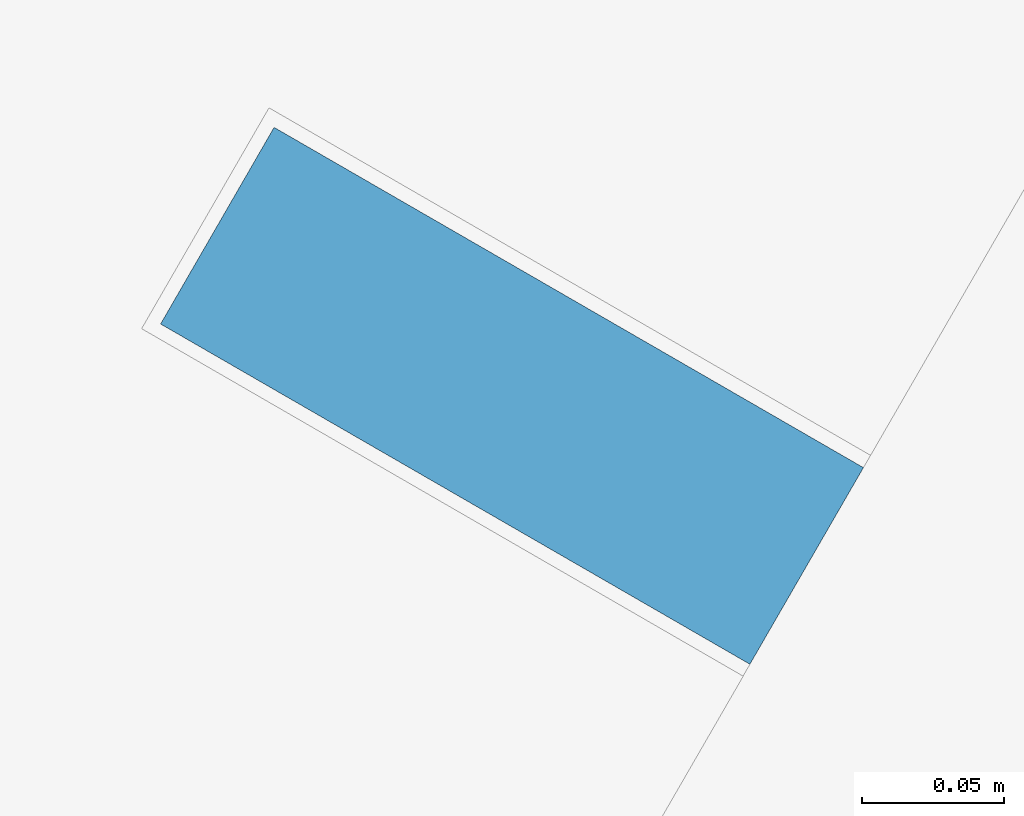
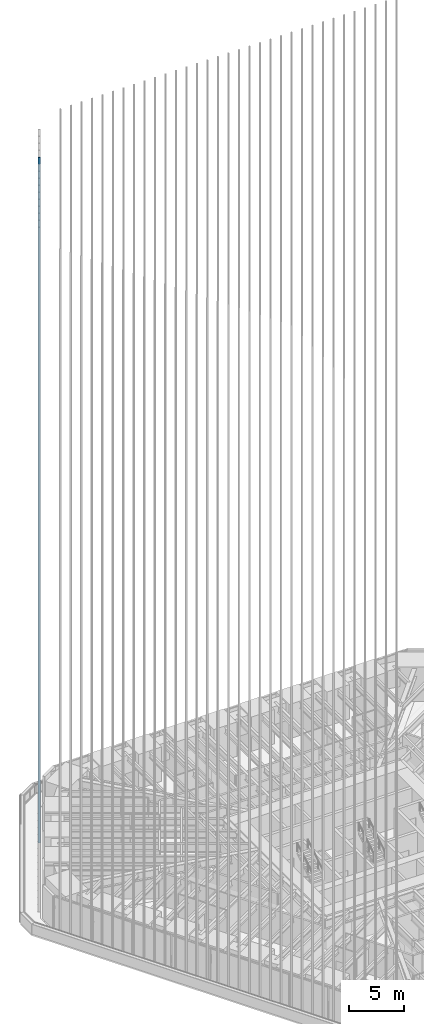
# One storey, part 140 of 238: 1 member, 1 element without a shape of its own.
"""IFC4 building model written with IfcOpenShell, lengths in metres."""

from ifc_helpers import new_model, si_unit, direction, frame, origin, origin_2d, place, context, subcontext, project, spatial, rectangle, extrude, material, material_profile, profile_set, type_object, element, aggregate, save


model = new_model("IFC4")

# Units and contexts
model_context = context("Model", 3, precision=1e-05, world=origin(), true_north=direction((0.0, 1.0)))
body_context = subcontext(model_context, "Body", "Model", "MODEL_VIEW")
ifc_project = project(units=[si_unit("LENGTHUNIT", "METRE"), si_unit("AREAUNIT", "SQUARE_METRE"), si_unit("VOLUMEUNIT", "CUBIC_METRE"), si_unit("PLANEANGLEUNIT", "RADIAN"), si_unit("MASSUNIT", "GRAM", prefix="KILO")], contexts=[model_context])

# Site, building, storey
site_placement = place(None, origin())
site = spatial("IfcSite", under=ifc_project, at=site_placement, CompositionType="ELEMENT")
building_placement = place(site_placement, origin())
building = spatial("IfcBuilding", under=site, at=building_placement, Name="Sandreach Pilgrim Tower", CompositionType="ELEMENT")
storey_placement = place(building_placement, frame((0.0, 0.0, 96.800048828125)))
storey = spatial("IfcBuildingStorey", under=building, at=storey_placement, Name="L23", CompositionType="ELEMENT", Elevation=96.800048828125)

# Curtain wall, member
ifc_material_1 = material(Name="Aluminium framed curtain wall", Category="aluminium")
curtain_wall_type = type_object("IfcCurtainWallType", Name="Hotel tower curtain wall", PredefinedType="NOTDEFINED", material=ifc_material_1)
curtain_wall_placement = place(storey_placement, origin())
curtain_wall = element("IfcCurtainWall", 1, at=curtain_wall_placement, inside=storey, type_object=curtain_wall_type, Name="CW-2 L23 NW", PredefinedType="NOTDEFINED")
ifc_material_2 = material(Name="Extruded terracotta on aluminium core", Category="masonry")
ifc_material_profile = material_profile(ifc_material_2, rectangle(XDim=0.080078125, YDim=0.239990234375, at=origin_2d()), Name="TBW 80X240")
ifc_profile_set = profile_set([ifc_material_profile], Name="Extruded terracotta on aluminium core")
member_type = type_object("IfcMemberType", Name="Terracotta baguette west", PredefinedType="USERDEFINED", material=ifc_profile_set)
member_placement = place(storey_placement, frame((-23.118896484375, 17.181396484375, 0.0), z_axis=(0.0, 0.0, 1.0), x_axis=(0.5, 0.866025403784, 0.0)))
member = element("IfcMember", 2, at=member_placement, type_object=member_type, Name="Baguette Z2 NW11", ObjectType="BAGUETTE", PredefinedType="USERDEFINED", context=body_context, shape_type="SweptSolid", body=[
    extrude(rectangle(XDim=0.080078125, YDim=0.239990234375, at=origin_2d()), origin(), (0.0, 0.0, 1.0), 75.83984375),
])
aggregate(curtain_wall, [member])

save(model, "model.ifc")
